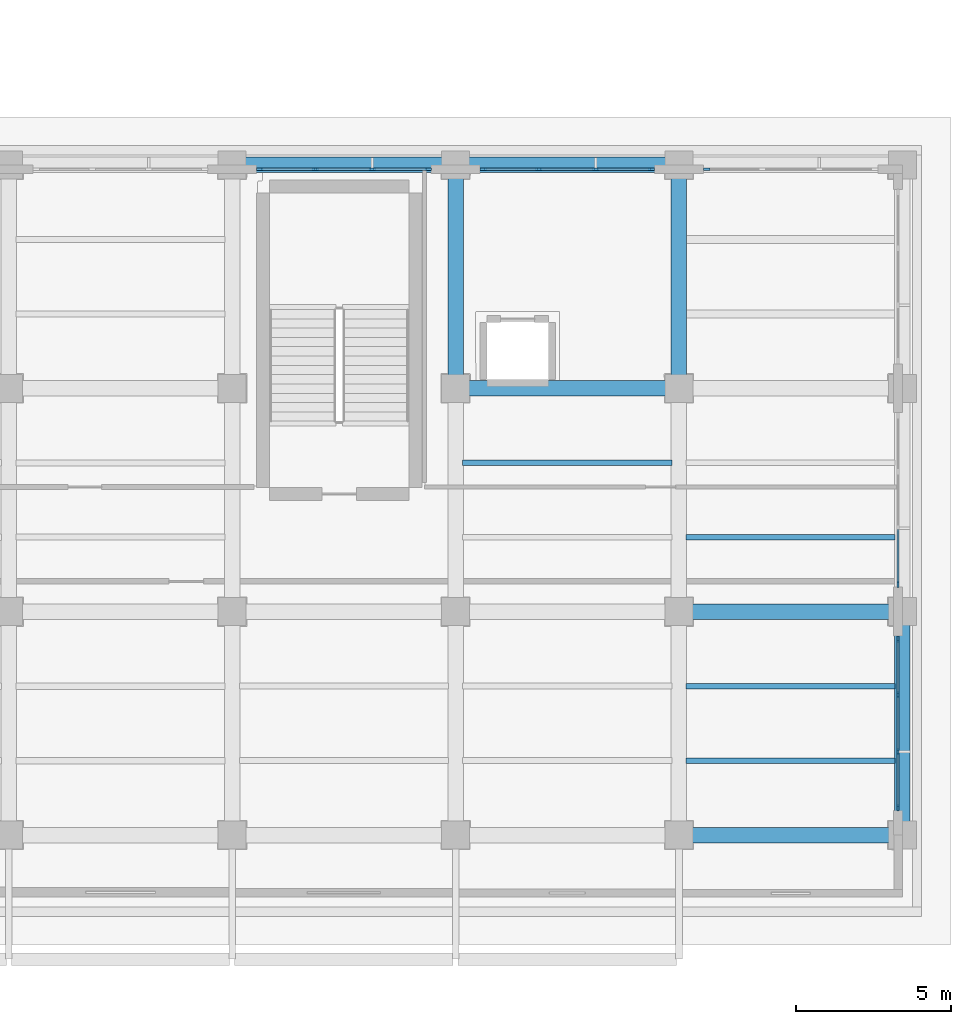
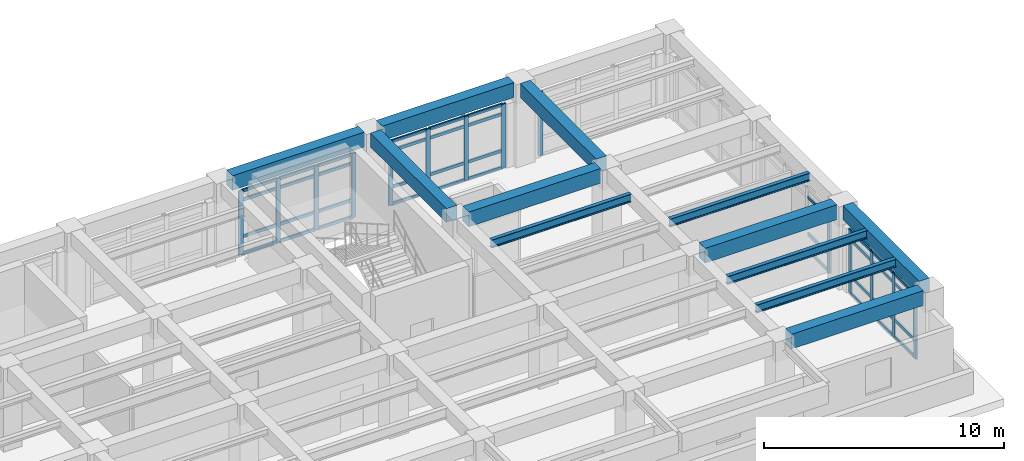
# One storey, part 29 of 69: 53 members, 12 beams, 5 elements without a shape of their own.
"""IFC4 building model written with IfcOpenShell, lengths in metres."""

from ifc_helpers import new_model, si_unit, direction, frame, origin, origin_2d, place, context, subcontext, project, spatial, rectangle, i_section, extrude, material, layer, layer_set, material_profile, profile_set, type_object, element, aggregate, save


model = new_model("IFC4")

# Units and contexts
model_context = context("Model", 3, precision=1e-05, world=origin(), true_north=direction((0.0, 1.0)))
body_context = subcontext(model_context, "Body", "Model", "MODEL_VIEW")
ifc_project = project(units=[si_unit("LENGTHUNIT", "METRE"), si_unit("AREAUNIT", "SQUARE_METRE"), si_unit("VOLUMEUNIT", "CUBIC_METRE"), si_unit("PLANEANGLEUNIT", "RADIAN"), si_unit("MASSUNIT", "GRAM", prefix="KILO")], contexts=[model_context])

# Site, building, storey
site_placement = place(None, origin())
site = spatial("IfcSite", under=ifc_project, at=site_placement, CompositionType="ELEMENT")
building_placement = place(site_placement, origin())
building = spatial("IfcBuilding", under=site, at=building_placement, Name="Solenvale Faculty of Natural Sciences", CompositionType="ELEMENT")
storey_placement = place(building_placement, frame((0.0, 0.0, 4.5)))
storey = spatial("IfcBuildingStorey", under=building, at=storey_placement, Name="L01", CompositionType="ELEMENT", Elevation=4.5)

# Beams
ifc_material_1 = material(Name="Concrete 40 MPa", Category="concrete")
ifc_material_profile_1 = material_profile(ifc_material_1, rectangle(XDim=0.5, YDim=0.699951171875, at=origin_2d()), Name="RC-BM-500x700")
ifc_profile_set_1 = profile_set([ifc_material_profile_1], Name="Concrete 40 MPa")
beam_type_1 = type_object("IfcBeamType", Name="BM-RC-500x700", PredefinedType="BEAM", material=ifc_profile_set_1)
for number, where, z_axis, x_axis, name in (
    (1, (151.199951171875, 50.830078125, 3.8701171875), (0.0, 1.0, 0.0), (-1.0, 0.0, 0.0), "L01 Y-Girder X151.2 (50.4..57.6)"),
    (2, (158.39990234375, 50.830078125, 3.8701171875), (0.0, 1.0, 0.0), (-1.0, 0.0, 0.0), "L01 Y-Girder X158.4 (50.4..57.6)"),
):
    element("IfcBeam", number, at=place(storey_placement, frame(where, z_axis=z_axis, x_axis=x_axis)), inside=storey, type_object=beam_type_1, Name=name, PredefinedType="BEAM", context=body_context, shape_type="SweptSolid", body=[
        extrude(rectangle(XDim=0.5, YDim=0.699951171875, at=origin_2d()), origin(), (0.0, 0.0, 1.0), 6.33984375),
    ])
beam_1_placement = place(storey_placement, frame((165.60009765625, 36.429931640625, 3.8701171875), z_axis=(0.0, 1.0, 0.0), x_axis=(-1.0, 0.0, 0.0)))
element("IfcBeam", 3, at=beam_1_placement, inside=storey, type_object=beam_type_1, Name="L01 Y-Girder X165.6 (36.0..43.2)", PredefinedType="BEAM", context=body_context, shape_type="SweptSolid", body=[
    extrude(rectangle(XDim=0.5, YDim=0.699951171875, at=origin_2d()), origin(), (0.0, 0.0, 1.0), 6.340087890625),
])
ifc_material_profile_2 = material_profile(ifc_material_1, rectangle(XDim=0.5, YDim=0.75, at=origin_2d()), Name="RC-BM-500x750")
ifc_profile_set_2 = profile_set([ifc_material_profile_2], Name="Concrete 40 MPa")
beam_type_2 = type_object("IfcBeamType", Name="BM-RC-500x750", PredefinedType="BEAM", material=ifc_profile_set_2)
for number, where, z_axis, x_axis, name in (
    (4, (158.830078125, 36.0, 3.844970703125), (1.0, 0.0, 0.0), (0.0, 1.0, 0.0), "L01 X-Girder Y36.0 (158.4..165.6)"),
    (5, (158.830078125, 43.199951171875, 3.844970703125), (1.0, 0.0, 0.0), (0.0, 1.0, 0.0), "L01 X-Girder Y43.2 (158.4..165.6)"),
):
    element("IfcBeam", number, at=place(storey_placement, frame(where, z_axis=z_axis, x_axis=x_axis)), inside=storey, type_object=beam_type_2, Name=name, PredefinedType="BEAM", context=body_context, shape_type="SweptSolid", body=[
        extrude(rectangle(XDim=0.5, YDim=0.75, at=origin_2d()), origin(), (0.0, 0.0, 1.0), 6.33984375),
    ])
for number, where, z_axis, x_axis, name in (
    (6, (151.6298828125, 50.39990234375, 3.844970703125), (1.0, 0.0, 0.0), (0.0, 1.0, 0.0), "L01 X-Girder Y50.4 (151.2..158.4)"),
    (7, (144.429931640625, 57.60009765625, 3.844970703125), (1.0, 0.0, 0.0), (0.0, 1.0, 0.0), "L01 X-Girder Y57.6 (144.0..151.2)"),
    (8, (151.6298828125, 57.60009765625, 3.844970703125), (1.0, 0.0, 0.0), (0.0, 1.0, 0.0), "L01 X-Girder Y57.6 (151.2..158.4)"),
):
    element("IfcBeam", number, at=place(storey_placement, frame(where, z_axis=z_axis, x_axis=x_axis)), inside=storey, type_object=beam_type_2, Name=name, PredefinedType="BEAM", context=body_context, shape_type="SweptSolid", body=[
        extrude(rectangle(XDim=0.5, YDim=0.75, at=origin_2d()), origin(), (0.0, 0.0, 1.0), 6.340087890625),
    ])
ifc_material_2 = material(Name="Steel S355", Category="steel")
ifc_material_profile_3 = material_profile(ifc_material_2, i_section(OverallWidth=0.178955078125, OverallDepth=0.409912109375, WebThickness=0.0087890625, FlangeThickness=0.014404296875, FilletRadius=0.01611328125, at=origin_2d()), Name="W410x67")
ifc_profile_set_3 = profile_set([ifc_material_profile_3], Name="Steel S355")
beam_type_3 = type_object("IfcBeamType", Name="BM-STL-W410x67", PredefinedType="JOIST", material=ifc_profile_set_3)
beam_2_placement = place(storey_placement, frame((158.6298828125, 45.60009765625, 4.014892578125), z_axis=(1.0, 0.0, 0.0), x_axis=(0.0, 1.0, 0.0)))
element("IfcBeam", 9, at=beam_2_placement, inside=storey, type_object=beam_type_3, Name="L01 Composite Floor Joist (23,7).1", PredefinedType="JOIST", context=body_context, shape_type="SweptSolid", body=[
    extrude(i_section(OverallWidth=0.178955078125, OverallDepth=0.409912109375, WebThickness=0.0087890625, FlangeThickness=0.014404296875, FilletRadius=0.01611328125, at=origin_2d()), origin(), (0.0, 0.0, 1.0), 6.740234375),
])
ifc_material_profile_4 = material_profile(ifc_material_2, i_section(OverallWidth=0.180908203125, OverallDepth=0.4169921875, WebThickness=0.010986328125, FlangeThickness=0.018310546875, FilletRadius=0.01611328125, at=origin_2d()), Name="W410x85")
ifc_profile_set_4 = profile_set([ifc_material_profile_4], Name="Steel S355")
beam_type_4 = type_object("IfcBeamType", Name="BM-STL-W410x85", PredefinedType="JOIST", material=ifc_profile_set_4)
beam_3_placement = place(storey_placement, frame((151.429931640625, 48.0, 4.011474609375), z_axis=(1.0, 0.0, 0.0), x_axis=(0.0, 1.0, 0.0)))
element("IfcBeam", 10, at=beam_3_placement, inside=storey, type_object=beam_type_4, Name="L01 Composite Floor Joist (22,7).2", PredefinedType="JOIST", context=body_context, shape_type="SweptSolid", body=[
    extrude(i_section(OverallWidth=0.180908203125, OverallDepth=0.4169921875, WebThickness=0.010986328125, FlangeThickness=0.018310546875, FilletRadius=0.01611328125, at=origin_2d()), origin(), (0.0, 0.0, 1.0), 6.739990234375),
])
for number, where, z_axis, x_axis, name in (
    (11, (158.6298828125, 38.39990234375, 4.011474609375), (1.0, 0.0, 0.0), (0.0, 1.0, 0.0), "L01 Composite Floor Joist (23,6).1"),
    (12, (158.6298828125, 40.800048828125, 4.011474609375), (1.0, 0.0, 0.0), (0.0, 1.0, 0.0), "L01 Composite Floor Joist (23,6).2"),
):
    element("IfcBeam", number, at=place(storey_placement, frame(where, z_axis=z_axis, x_axis=x_axis)), inside=storey, type_object=beam_type_4, Name=name, PredefinedType="JOIST", context=body_context, shape_type="SweptSolid", body=[
        extrude(i_section(OverallWidth=0.180908203125, OverallDepth=0.4169921875, WebThickness=0.010986328125, FlangeThickness=0.018310546875, FilletRadius=0.01611328125, at=origin_2d()), origin(), (0.0, 0.0, 1.0), 6.740234375),
    ])

# Curtain wall, members
ifc_material_3 = material(Name="Anodised bronze aluminium", Category="aluminium")
ifc_layer = layer(ifc_material_3, 0.199951171875)
ifc_layer_set = layer_set([ifc_layer], Name="Anodised bronze aluminium")
curtain_wall_type = type_object("IfcCurtainWallType", Name="CW-COM-FIN", PredefinedType="USERDEFINED", material=ifc_layer_set)
curtain_wall_1_placement = place(storey_placement, origin())
curtain_wall_1 = element("IfcCurtainWall", 13, at=curtain_wall_1_placement, inside=storey, type_object=curtain_wall_type, Name="L01 Curtain Wall CW-L01-P1-E8-B2", ObjectType="UNITISED CURTAIN WALL", PredefinedType="USERDEFINED")
ifc_material_profile_5 = material_profile(ifc_material_3, rectangle(XDim=0.074951171875, YDim=0.2099609375, at=origin_2d()), Name="ALU-MUL-75x210")
ifc_profile_set_5 = profile_set([ifc_material_profile_5], Name="Anodised bronze aluminium")
member_type_1 = type_object("IfcMemberType", Name="CWM-ALU-75x210", PredefinedType="MULLION", material=ifc_profile_set_5)
member_1_placement = place(storey_placement, frame((165.45751953125, 36.887451171875, 0.0), z_axis=(0.0, 0.0, 1.0), x_axis=(-1.0, 0.0, 0.0)))
member_1 = element("IfcMember", 14, at=member_1_placement, type_object=member_type_1, Name="CW-03 mullion 1", PredefinedType="MULLION", context=body_context, shape_type="SweptSolid", body=[
    extrude(rectangle(XDim=0.074951171875, YDim=0.2099609375, at=origin_2d()), origin(), (0.0, 0.0, 1.0), 3.260009765625),
])
member_2_placement = place(storey_placement, frame((165.45751953125, 38.683349609375, 0.0), z_axis=(0.0, 0.0, 1.0), x_axis=(-1.0, 0.0, 0.0)))
member_2 = element("IfcMember", 15, at=member_2_placement, type_object=member_type_1, Name="CW-03 mullion 2", PredefinedType="MULLION", context=body_context, shape_type="SweptSolid", body=[
    extrude(rectangle(XDim=0.074951171875, YDim=0.2099609375, at=origin_2d()), origin(), (0.0, 0.0, 1.0), 3.260009765625),
])
member_3_placement = place(storey_placement, frame((165.45751953125, 40.5166015625, 0.0), z_axis=(0.0, 0.0, 1.0), x_axis=(-1.0, 0.0, 0.0)))
member_3 = element("IfcMember", 16, at=member_3_placement, type_object=member_type_1, Name="CW-03 mullion 3", PredefinedType="MULLION", context=body_context, shape_type="SweptSolid", body=[
    extrude(rectangle(XDim=0.074951171875, YDim=0.2099609375, at=origin_2d()), origin(), (0.0, 0.0, 1.0), 3.260009765625),
])
member_4_placement = place(storey_placement, frame((165.45751953125, 42.3125, 0.0), z_axis=(0.0, 0.0, 1.0), x_axis=(-1.0, 0.0, 0.0)))
member_4 = element("IfcMember", 17, at=member_4_placement, type_object=member_type_1, Name="CW-03 mullion 4", PredefinedType="MULLION", context=body_context, shape_type="SweptSolid", body=[
    extrude(rectangle(XDim=0.074951171875, YDim=0.2099609375, at=origin_2d()), origin(), (0.0, 0.0, 1.0), 3.260009765625),
])

# Curtain wall, member
curtain_wall_2_placement = place(storey_placement, origin())
curtain_wall_2 = element("IfcCurtainWall", 18, at=curtain_wall_2_placement, inside=storey, type_object=curtain_wall_type, Name="L01 Curtain Wall CW-L01-P1-E8-B3", ObjectType="UNITISED CURTAIN WALL", PredefinedType="USERDEFINED")
member_5_placement = place(storey_placement, frame((165.45751953125, 44.08740234375, 0.0), z_axis=(0.0, 0.0, 1.0), x_axis=(-1.0, 0.0, 0.0)))
member_5 = element("IfcMember", 19, at=member_5_placement, type_object=member_type_1, Name="CW-03 mullion 1", PredefinedType="MULLION", context=body_context, shape_type="SweptSolid", body=[
    extrude(rectangle(XDim=0.074951171875, YDim=0.2099609375, at=origin_2d()), origin(), (0.0, 0.0, 1.0), 3.260009765625),
])

curtain_wall_3_placement = place(storey_placement, origin())
curtain_wall_3 = element("IfcCurtainWall", 20, at=curtain_wall_3_placement, inside=storey, type_object=curtain_wall_type, Name="L01 Curtain Wall CW-L01-P1-E9-B1", ObjectType="UNITISED CURTAIN WALL", PredefinedType="USERDEFINED")
member_6_placement = place(storey_placement, frame((159.28759765625, 57.45751953125, 0.0), z_axis=(0.0, 0.0, 1.0), x_axis=(0.0, -1.0, 0.0)))
member_6 = element("IfcMember", 21, at=member_6_placement, type_object=member_type_1, Name="CW-03 mullion 4", PredefinedType="MULLION", context=body_context, shape_type="SweptSolid", body=[
    extrude(rectangle(XDim=0.074951171875, YDim=0.2099609375, at=origin_2d()), origin(), (0.0, 0.0, 1.0), 3.260009765625),
])
aggregate(curtain_wall_3, [member_6])

# Curtain wall, members
curtain_wall_4_placement = place(storey_placement, origin())
curtain_wall_4 = element("IfcCurtainWall", 22, at=curtain_wall_4_placement, inside=storey, type_object=curtain_wall_type, Name="L01 Curtain Wall CW-L01-P1-E9-B2", ObjectType="UNITISED CURTAIN WALL", PredefinedType="USERDEFINED")
member_7_placement = place(storey_placement, frame((157.512451171875, 57.45751953125, 0.0), z_axis=(0.0, 0.0, 1.0), x_axis=(0.0, -1.0, 0.0)))
member_7 = element("IfcMember", 23, at=member_7_placement, type_object=member_type_1, Name="CW-03 mullion 1", PredefinedType="MULLION", context=body_context, shape_type="SweptSolid", body=[
    extrude(rectangle(XDim=0.074951171875, YDim=0.2099609375, at=origin_2d()), origin(), (0.0, 0.0, 1.0), 3.260009765625),
])
member_8_placement = place(storey_placement, frame((155.716552734375, 57.45751953125, 0.0), z_axis=(0.0, 0.0, 1.0), x_axis=(0.0, -1.0, 0.0)))
member_8 = element("IfcMember", 24, at=member_8_placement, type_object=member_type_1, Name="CW-03 mullion 2", PredefinedType="MULLION", context=body_context, shape_type="SweptSolid", body=[
    extrude(rectangle(XDim=0.074951171875, YDim=0.2099609375, at=origin_2d()), origin(), (0.0, 0.0, 1.0), 3.260009765625),
])
member_9_placement = place(storey_placement, frame((153.88330078125, 57.45751953125, 0.0), z_axis=(0.0, 0.0, 1.0), x_axis=(0.0, -1.0, 0.0)))
member_9 = element("IfcMember", 25, at=member_9_placement, type_object=member_type_1, Name="CW-03 mullion 3", PredefinedType="MULLION", context=body_context, shape_type="SweptSolid", body=[
    extrude(rectangle(XDim=0.074951171875, YDim=0.2099609375, at=origin_2d()), origin(), (0.0, 0.0, 1.0), 3.260009765625),
])
member_10_placement = place(storey_placement, frame((152.08740234375, 57.45751953125, 0.0), z_axis=(0.0, 0.0, 1.0), x_axis=(0.0, -1.0, 0.0)))
member_10 = element("IfcMember", 26, at=member_10_placement, type_object=member_type_1, Name="CW-03 mullion 4", PredefinedType="MULLION", context=body_context, shape_type="SweptSolid", body=[
    extrude(rectangle(XDim=0.074951171875, YDim=0.2099609375, at=origin_2d()), origin(), (0.0, 0.0, 1.0), 3.260009765625),
])

curtain_wall_5_placement = place(storey_placement, origin())
curtain_wall_5 = element("IfcCurtainWall", 27, at=curtain_wall_5_placement, inside=storey, type_object=curtain_wall_type, Name="L01 Curtain Wall CW-L01-P1-E9-B3", ObjectType="UNITISED CURTAIN WALL", PredefinedType="USERDEFINED")
member_11_placement = place(storey_placement, frame((150.3125, 57.45751953125, 0.0), z_axis=(0.0, 0.0, 1.0), x_axis=(0.0, -1.0, 0.0)))
member_11 = element("IfcMember", 28, at=member_11_placement, type_object=member_type_1, Name="CW-03 mullion 1", PredefinedType="MULLION", context=body_context, shape_type="SweptSolid", body=[
    extrude(rectangle(XDim=0.074951171875, YDim=0.2099609375, at=origin_2d()), origin(), (0.0, 0.0, 1.0), 3.260009765625),
])
member_12_placement = place(storey_placement, frame((148.5166015625, 57.45751953125, 0.0), z_axis=(0.0, 0.0, 1.0), x_axis=(0.0, -1.0, 0.0)))
member_12 = element("IfcMember", 29, at=member_12_placement, type_object=member_type_1, Name="CW-03 mullion 2", PredefinedType="MULLION", context=body_context, shape_type="SweptSolid", body=[
    extrude(rectangle(XDim=0.074951171875, YDim=0.2099609375, at=origin_2d()), origin(), (0.0, 0.0, 1.0), 3.260009765625),
])
member_13_placement = place(storey_placement, frame((146.683349609375, 57.45751953125, 0.0), z_axis=(0.0, 0.0, 1.0), x_axis=(0.0, -1.0, 0.0)))
member_13 = element("IfcMember", 30, at=member_13_placement, type_object=member_type_1, Name="CW-03 mullion 3", PredefinedType="MULLION", context=body_context, shape_type="SweptSolid", body=[
    extrude(rectangle(XDim=0.074951171875, YDim=0.2099609375, at=origin_2d()), origin(), (0.0, 0.0, 1.0), 3.260009765625),
])
member_14_placement = place(storey_placement, frame((144.887451171875, 57.45751953125, 0.0), z_axis=(0.0, 0.0, 1.0), x_axis=(0.0, -1.0, 0.0)))
member_14 = element("IfcMember", 31, at=member_14_placement, type_object=member_type_1, Name="CW-03 mullion 4", PredefinedType="MULLION", context=body_context, shape_type="SweptSolid", body=[
    extrude(rectangle(XDim=0.074951171875, YDim=0.2099609375, at=origin_2d()), origin(), (0.0, 0.0, 1.0), 3.260009765625),
])

# Member
ifc_material_profile_6 = material_profile(ifc_material_3, rectangle(XDim=0.074951171875, YDim=0.155029296875, at=origin_2d()), Name="ALU-TRN-75x155")
ifc_profile_set_6 = profile_set([ifc_material_profile_6], Name="Anodised bronze aluminium")
member_type_2 = type_object("IfcMemberType", Name="CWT-ALU-75x155", PredefinedType="USERDEFINED", material=ifc_profile_set_6)
member_15_placement = place(storey_placement, frame((165.45751953125, 36.925048828125, 0.03759765625), z_axis=(0.0, 1.0, 0.0), x_axis=(-1.0, 0.0, 0.0)))
member_15 = element("IfcMember", 32, at=member_15_placement, type_object=member_type_2, Name="CW-03 transom 1.1", ObjectType="TRANSOM", PredefinedType="USERDEFINED", context=body_context, shape_type="SweptSolid", body=[
    extrude(rectangle(XDim=0.074951171875, YDim=0.155029296875, at=origin_2d()), origin(), (0.0, 0.0, 1.0), 1.720703125),
])

member_16_placement = place(storey_placement, frame((165.45751953125, 36.925048828125, 0.89990234375), z_axis=(0.0, 1.0, 0.0), x_axis=(-1.0, 0.0, 0.0)))
member_16 = element("IfcMember", 33, at=member_16_placement, type_object=member_type_2, Name="CW-03 transom 1.2", ObjectType="TRANSOM", PredefinedType="USERDEFINED", context=body_context, shape_type="SweptSolid", body=[
    extrude(rectangle(XDim=0.074951171875, YDim=0.155029296875, at=origin_2d()), origin(), (0.0, 0.0, 1.0), 1.720703125),
])

member_17_placement = place(storey_placement, frame((165.45751953125, 36.925048828125, 2.760009765625), z_axis=(0.0, 1.0, 0.0), x_axis=(-1.0, 0.0, 0.0)))
member_17 = element("IfcMember", 34, at=member_17_placement, type_object=member_type_2, Name="CW-03 transom 1.3", ObjectType="TRANSOM", PredefinedType="USERDEFINED", context=body_context, shape_type="SweptSolid", body=[
    extrude(rectangle(XDim=0.074951171875, YDim=0.155029296875, at=origin_2d()), origin(), (0.0, 0.0, 1.0), 1.720703125),
])

member_18_placement = place(storey_placement, frame((165.45751953125, 36.925048828125, 3.222412109375), z_axis=(0.0, 1.0, 0.0), x_axis=(-1.0, 0.0, 0.0)))
member_18 = element("IfcMember", 35, at=member_18_placement, type_object=member_type_2, Name="CW-03 transom 1.4", ObjectType="TRANSOM", PredefinedType="USERDEFINED", context=body_context, shape_type="SweptSolid", body=[
    extrude(rectangle(XDim=0.074951171875, YDim=0.155029296875, at=origin_2d()), origin(), (0.0, 0.0, 1.0), 1.720703125),
])

member_19_placement = place(storey_placement, frame((165.45751953125, 38.720947265625, 0.03759765625), z_axis=(0.0, 1.0, 0.0), x_axis=(-1.0, 0.0, 0.0)))
member_19 = element("IfcMember", 36, at=member_19_placement, type_object=member_type_2, Name="CW-03 transom 2.1", ObjectType="TRANSOM", PredefinedType="USERDEFINED", context=body_context, shape_type="SweptSolid", body=[
    extrude(rectangle(XDim=0.074951171875, YDim=0.155029296875, at=origin_2d()), origin(), (0.0, 0.0, 1.0), 1.75830078125),
])

member_20_placement = place(storey_placement, frame((165.45751953125, 38.720947265625, 0.89990234375), z_axis=(0.0, 1.0, 0.0), x_axis=(-1.0, 0.0, 0.0)))
member_20 = element("IfcMember", 37, at=member_20_placement, type_object=member_type_2, Name="CW-03 transom 2.2", ObjectType="TRANSOM", PredefinedType="USERDEFINED", context=body_context, shape_type="SweptSolid", body=[
    extrude(rectangle(XDim=0.074951171875, YDim=0.155029296875, at=origin_2d()), origin(), (0.0, 0.0, 1.0), 1.75830078125),
])

member_21_placement = place(storey_placement, frame((165.45751953125, 38.720947265625, 2.760009765625), z_axis=(0.0, 1.0, 0.0), x_axis=(-1.0, 0.0, 0.0)))
member_21 = element("IfcMember", 38, at=member_21_placement, type_object=member_type_2, Name="CW-03 transom 2.3", ObjectType="TRANSOM", PredefinedType="USERDEFINED", context=body_context, shape_type="SweptSolid", body=[
    extrude(rectangle(XDim=0.074951171875, YDim=0.155029296875, at=origin_2d()), origin(), (0.0, 0.0, 1.0), 1.75830078125),
])

member_22_placement = place(storey_placement, frame((165.45751953125, 38.720947265625, 3.222412109375), z_axis=(0.0, 1.0, 0.0), x_axis=(-1.0, 0.0, 0.0)))
member_22 = element("IfcMember", 39, at=member_22_placement, type_object=member_type_2, Name="CW-03 transom 2.4", ObjectType="TRANSOM", PredefinedType="USERDEFINED", context=body_context, shape_type="SweptSolid", body=[
    extrude(rectangle(XDim=0.074951171875, YDim=0.155029296875, at=origin_2d()), origin(), (0.0, 0.0, 1.0), 1.75830078125),
])

member_23_placement = place(storey_placement, frame((165.45751953125, 40.55419921875, 0.03759765625), z_axis=(0.0, 1.0, 0.0), x_axis=(-1.0, 0.0, 0.0)))
member_23 = element("IfcMember", 40, at=member_23_placement, type_object=member_type_2, Name="CW-03 transom 3.1", ObjectType="TRANSOM", PredefinedType="USERDEFINED", context=body_context, shape_type="SweptSolid", body=[
    extrude(rectangle(XDim=0.074951171875, YDim=0.155029296875, at=origin_2d()), origin(), (0.0, 0.0, 1.0), 1.720703125),
])

member_24_placement = place(storey_placement, frame((165.45751953125, 40.55419921875, 0.89990234375), z_axis=(0.0, 1.0, 0.0), x_axis=(-1.0, 0.0, 0.0)))
member_24 = element("IfcMember", 41, at=member_24_placement, type_object=member_type_2, Name="CW-03 transom 3.2", ObjectType="TRANSOM", PredefinedType="USERDEFINED", context=body_context, shape_type="SweptSolid", body=[
    extrude(rectangle(XDim=0.074951171875, YDim=0.155029296875, at=origin_2d()), origin(), (0.0, 0.0, 1.0), 1.720703125),
])

member_25_placement = place(storey_placement, frame((165.45751953125, 40.55419921875, 2.760009765625), z_axis=(0.0, 1.0, 0.0), x_axis=(-1.0, 0.0, 0.0)))
member_25 = element("IfcMember", 42, at=member_25_placement, type_object=member_type_2, Name="CW-03 transom 3.3", ObjectType="TRANSOM", PredefinedType="USERDEFINED", context=body_context, shape_type="SweptSolid", body=[
    extrude(rectangle(XDim=0.074951171875, YDim=0.155029296875, at=origin_2d()), origin(), (0.0, 0.0, 1.0), 1.720703125),
])

member_26_placement = place(storey_placement, frame((165.45751953125, 40.55419921875, 3.222412109375), z_axis=(0.0, 1.0, 0.0), x_axis=(-1.0, 0.0, 0.0)))
member_26 = element("IfcMember", 43, at=member_26_placement, type_object=member_type_2, Name="CW-03 transom 3.4", ObjectType="TRANSOM", PredefinedType="USERDEFINED", context=body_context, shape_type="SweptSolid", body=[
    extrude(rectangle(XDim=0.074951171875, YDim=0.155029296875, at=origin_2d()), origin(), (0.0, 0.0, 1.0), 1.720703125),
])

aggregate(curtain_wall_1, [member_1, member_2, member_3, member_4, member_15, member_16, member_17, member_18, member_19, member_20, member_21, member_22, member_23, member_24, member_25, member_26])

member_27_placement = place(storey_placement, frame((165.45751953125, 44.125, 0.03759765625), z_axis=(0.0, 1.0, 0.0), x_axis=(-1.0, 0.0, 0.0)))
member_27 = element("IfcMember", 44, at=member_27_placement, type_object=member_type_2, Name="CW-03 transom 1.1", ObjectType="TRANSOM", PredefinedType="USERDEFINED", context=body_context, shape_type="SweptSolid", body=[
    extrude(rectangle(XDim=0.074951171875, YDim=0.155029296875, at=origin_2d()), origin(), (0.0, 0.0, 1.0), 1.720947265625),
])

member_28_placement = place(storey_placement, frame((165.45751953125, 44.125, 0.89990234375), z_axis=(0.0, 1.0, 0.0), x_axis=(-1.0, 0.0, 0.0)))
member_28 = element("IfcMember", 45, at=member_28_placement, type_object=member_type_2, Name="CW-03 transom 1.2", ObjectType="TRANSOM", PredefinedType="USERDEFINED", context=body_context, shape_type="SweptSolid", body=[
    extrude(rectangle(XDim=0.074951171875, YDim=0.155029296875, at=origin_2d()), origin(), (0.0, 0.0, 1.0), 1.720947265625),
])

member_29_placement = place(storey_placement, frame((165.45751953125, 44.125, 2.760009765625), z_axis=(0.0, 1.0, 0.0), x_axis=(-1.0, 0.0, 0.0)))
member_29 = element("IfcMember", 46, at=member_29_placement, type_object=member_type_2, Name="CW-03 transom 1.3", ObjectType="TRANSOM", PredefinedType="USERDEFINED", context=body_context, shape_type="SweptSolid", body=[
    extrude(rectangle(XDim=0.074951171875, YDim=0.155029296875, at=origin_2d()), origin(), (0.0, 0.0, 1.0), 1.720947265625),
])

aggregate(curtain_wall_2, [member_5, member_27, member_28, member_29])

member_30_placement = place(storey_placement, frame((157.47509765625, 57.45751953125, 0.03759765625), z_axis=(-1.0, 0.0, 0.0), x_axis=(0.0, -1.0, 0.0)))
member_30 = element("IfcMember", 47, at=member_30_placement, type_object=member_type_2, Name="CW-03 transom 1.1", ObjectType="TRANSOM", PredefinedType="USERDEFINED", context=body_context, shape_type="SweptSolid", body=[
    extrude(rectangle(XDim=0.074951171875, YDim=0.155029296875, at=origin_2d()), origin(), (0.0, 0.0, 1.0), 1.720947265625),
])

member_31_placement = place(storey_placement, frame((157.47509765625, 57.45751953125, 0.89990234375), z_axis=(-1.0, 0.0, 0.0), x_axis=(0.0, -1.0, 0.0)))
member_31 = element("IfcMember", 48, at=member_31_placement, type_object=member_type_2, Name="CW-03 transom 1.2", ObjectType="TRANSOM", PredefinedType="USERDEFINED", context=body_context, shape_type="SweptSolid", body=[
    extrude(rectangle(XDim=0.074951171875, YDim=0.155029296875, at=origin_2d()), origin(), (0.0, 0.0, 1.0), 1.720947265625),
])

member_32_placement = place(storey_placement, frame((157.47509765625, 57.45751953125, 2.760009765625), z_axis=(-1.0, 0.0, 0.0), x_axis=(0.0, -1.0, 0.0)))
member_32 = element("IfcMember", 49, at=member_32_placement, type_object=member_type_2, Name="CW-03 transom 1.3", ObjectType="TRANSOM", PredefinedType="USERDEFINED", context=body_context, shape_type="SweptSolid", body=[
    extrude(rectangle(XDim=0.074951171875, YDim=0.155029296875, at=origin_2d()), origin(), (0.0, 0.0, 1.0), 1.720947265625),
])

member_33_placement = place(storey_placement, frame((157.47509765625, 57.45751953125, 3.222412109375), z_axis=(-1.0, 0.0, 0.0), x_axis=(0.0, -1.0, 0.0)))
member_33 = element("IfcMember", 50, at=member_33_placement, type_object=member_type_2, Name="CW-03 transom 1.4", ObjectType="TRANSOM", PredefinedType="USERDEFINED", context=body_context, shape_type="SweptSolid", body=[
    extrude(rectangle(XDim=0.074951171875, YDim=0.155029296875, at=origin_2d()), origin(), (0.0, 0.0, 1.0), 1.720947265625),
])

member_34_placement = place(storey_placement, frame((155.67919921875, 57.45751953125, 0.03759765625), z_axis=(-1.0, 0.0, 0.0), x_axis=(0.0, -1.0, 0.0)))
member_34 = element("IfcMember", 51, at=member_34_placement, type_object=member_type_2, Name="CW-03 transom 2.1", ObjectType="TRANSOM", PredefinedType="USERDEFINED", context=body_context, shape_type="SweptSolid", body=[
    extrude(rectangle(XDim=0.074951171875, YDim=0.155029296875, at=origin_2d()), origin(), (0.0, 0.0, 1.0), 1.75830078125),
])

member_35_placement = place(storey_placement, frame((155.67919921875, 57.45751953125, 0.89990234375), z_axis=(-1.0, 0.0, 0.0), x_axis=(0.0, -1.0, 0.0)))
member_35 = element("IfcMember", 52, at=member_35_placement, type_object=member_type_2, Name="CW-03 transom 2.2", ObjectType="TRANSOM", PredefinedType="USERDEFINED", context=body_context, shape_type="SweptSolid", body=[
    extrude(rectangle(XDim=0.074951171875, YDim=0.155029296875, at=origin_2d()), origin(), (0.0, 0.0, 1.0), 1.75830078125),
])

member_36_placement = place(storey_placement, frame((155.67919921875, 57.45751953125, 2.760009765625), z_axis=(-1.0, 0.0, 0.0), x_axis=(0.0, -1.0, 0.0)))
member_36 = element("IfcMember", 53, at=member_36_placement, type_object=member_type_2, Name="CW-03 transom 2.3", ObjectType="TRANSOM", PredefinedType="USERDEFINED", context=body_context, shape_type="SweptSolid", body=[
    extrude(rectangle(XDim=0.074951171875, YDim=0.155029296875, at=origin_2d()), origin(), (0.0, 0.0, 1.0), 1.75830078125),
])

member_37_placement = place(storey_placement, frame((155.67919921875, 57.45751953125, 3.222412109375), z_axis=(-1.0, 0.0, 0.0), x_axis=(0.0, -1.0, 0.0)))
member_37 = element("IfcMember", 54, at=member_37_placement, type_object=member_type_2, Name="CW-03 transom 2.4", ObjectType="TRANSOM", PredefinedType="USERDEFINED", context=body_context, shape_type="SweptSolid", body=[
    extrude(rectangle(XDim=0.074951171875, YDim=0.155029296875, at=origin_2d()), origin(), (0.0, 0.0, 1.0), 1.75830078125),
])

member_38_placement = place(storey_placement, frame((153.845947265625, 57.45751953125, 0.03759765625), z_axis=(-1.0, 0.0, 0.0), x_axis=(0.0, -1.0, 0.0)))
member_38 = element("IfcMember", 55, at=member_38_placement, type_object=member_type_2, Name="CW-03 transom 3.1", ObjectType="TRANSOM", PredefinedType="USERDEFINED", context=body_context, shape_type="SweptSolid", body=[
    extrude(rectangle(XDim=0.074951171875, YDim=0.155029296875, at=origin_2d()), origin(), (0.0, 0.0, 1.0), 1.720947265625),
])

member_39_placement = place(storey_placement, frame((153.845947265625, 57.45751953125, 0.89990234375), z_axis=(-1.0, 0.0, 0.0), x_axis=(0.0, -1.0, 0.0)))
member_39 = element("IfcMember", 56, at=member_39_placement, type_object=member_type_2, Name="CW-03 transom 3.2", ObjectType="TRANSOM", PredefinedType="USERDEFINED", context=body_context, shape_type="SweptSolid", body=[
    extrude(rectangle(XDim=0.074951171875, YDim=0.155029296875, at=origin_2d()), origin(), (0.0, 0.0, 1.0), 1.720947265625),
])

member_40_placement = place(storey_placement, frame((153.845947265625, 57.45751953125, 2.760009765625), z_axis=(-1.0, 0.0, 0.0), x_axis=(0.0, -1.0, 0.0)))
member_40 = element("IfcMember", 57, at=member_40_placement, type_object=member_type_2, Name="CW-03 transom 3.3", ObjectType="TRANSOM", PredefinedType="USERDEFINED", context=body_context, shape_type="SweptSolid", body=[
    extrude(rectangle(XDim=0.074951171875, YDim=0.155029296875, at=origin_2d()), origin(), (0.0, 0.0, 1.0), 1.720947265625),
])

member_41_placement = place(storey_placement, frame((153.845947265625, 57.45751953125, 3.222412109375), z_axis=(-1.0, 0.0, 0.0), x_axis=(0.0, -1.0, 0.0)))
member_41 = element("IfcMember", 58, at=member_41_placement, type_object=member_type_2, Name="CW-03 transom 3.4", ObjectType="TRANSOM", PredefinedType="USERDEFINED", context=body_context, shape_type="SweptSolid", body=[
    extrude(rectangle(XDim=0.074951171875, YDim=0.155029296875, at=origin_2d()), origin(), (0.0, 0.0, 1.0), 1.720947265625),
])

aggregate(curtain_wall_4, [member_7, member_8, member_9, member_10, member_30, member_31, member_32, member_33, member_34, member_35, member_36, member_37, member_38, member_39, member_40, member_41])

member_42_placement = place(storey_placement, frame((150.27490234375, 57.45751953125, 0.03759765625), z_axis=(-1.0, 0.0, 0.0), x_axis=(0.0, -1.0, 0.0)))
member_42 = element("IfcMember", 59, at=member_42_placement, type_object=member_type_2, Name="CW-03 transom 1.1", ObjectType="TRANSOM", PredefinedType="USERDEFINED", context=body_context, shape_type="SweptSolid", body=[
    extrude(rectangle(XDim=0.074951171875, YDim=0.155029296875, at=origin_2d()), origin(), (0.0, 0.0, 1.0), 1.720703125),
])

member_43_placement = place(storey_placement, frame((150.27490234375, 57.45751953125, 0.89990234375), z_axis=(-1.0, 0.0, 0.0), x_axis=(0.0, -1.0, 0.0)))
member_43 = element("IfcMember", 60, at=member_43_placement, type_object=member_type_2, Name="CW-03 transom 1.2", ObjectType="TRANSOM", PredefinedType="USERDEFINED", context=body_context, shape_type="SweptSolid", body=[
    extrude(rectangle(XDim=0.074951171875, YDim=0.155029296875, at=origin_2d()), origin(), (0.0, 0.0, 1.0), 1.720703125),
])

member_44_placement = place(storey_placement, frame((150.27490234375, 57.45751953125, 2.760009765625), z_axis=(-1.0, 0.0, 0.0), x_axis=(0.0, -1.0, 0.0)))
member_44 = element("IfcMember", 61, at=member_44_placement, type_object=member_type_2, Name="CW-03 transom 1.3", ObjectType="TRANSOM", PredefinedType="USERDEFINED", context=body_context, shape_type="SweptSolid", body=[
    extrude(rectangle(XDim=0.074951171875, YDim=0.155029296875, at=origin_2d()), origin(), (0.0, 0.0, 1.0), 1.720703125),
])

member_45_placement = place(storey_placement, frame((150.27490234375, 57.45751953125, 3.222412109375), z_axis=(-1.0, 0.0, 0.0), x_axis=(0.0, -1.0, 0.0)))
member_45 = element("IfcMember", 62, at=member_45_placement, type_object=member_type_2, Name="CW-03 transom 1.4", ObjectType="TRANSOM", PredefinedType="USERDEFINED", context=body_context, shape_type="SweptSolid", body=[
    extrude(rectangle(XDim=0.074951171875, YDim=0.155029296875, at=origin_2d()), origin(), (0.0, 0.0, 1.0), 1.720703125),
])

member_46_placement = place(storey_placement, frame((148.479248046875, 57.45751953125, 0.03759765625), z_axis=(-1.0, 0.0, 0.0), x_axis=(0.0, -1.0, 0.0)))
member_46 = element("IfcMember", 63, at=member_46_placement, type_object=member_type_2, Name="CW-03 transom 2.1", ObjectType="TRANSOM", PredefinedType="USERDEFINED", context=body_context, shape_type="SweptSolid", body=[
    extrude(rectangle(XDim=0.074951171875, YDim=0.155029296875, at=origin_2d()), origin(), (0.0, 0.0, 1.0), 1.75830078125),
])

member_47_placement = place(storey_placement, frame((148.479248046875, 57.45751953125, 0.89990234375), z_axis=(-1.0, 0.0, 0.0), x_axis=(0.0, -1.0, 0.0)))
member_47 = element("IfcMember", 64, at=member_47_placement, type_object=member_type_2, Name="CW-03 transom 2.2", ObjectType="TRANSOM", PredefinedType="USERDEFINED", context=body_context, shape_type="SweptSolid", body=[
    extrude(rectangle(XDim=0.074951171875, YDim=0.155029296875, at=origin_2d()), origin(), (0.0, 0.0, 1.0), 1.75830078125),
])

member_48_placement = place(storey_placement, frame((148.479248046875, 57.45751953125, 2.760009765625), z_axis=(-1.0, 0.0, 0.0), x_axis=(0.0, -1.0, 0.0)))
member_48 = element("IfcMember", 65, at=member_48_placement, type_object=member_type_2, Name="CW-03 transom 2.3", ObjectType="TRANSOM", PredefinedType="USERDEFINED", context=body_context, shape_type="SweptSolid", body=[
    extrude(rectangle(XDim=0.074951171875, YDim=0.155029296875, at=origin_2d()), origin(), (0.0, 0.0, 1.0), 1.75830078125),
])

member_49_placement = place(storey_placement, frame((148.479248046875, 57.45751953125, 3.222412109375), z_axis=(-1.0, 0.0, 0.0), x_axis=(0.0, -1.0, 0.0)))
member_49 = element("IfcMember", 66, at=member_49_placement, type_object=member_type_2, Name="CW-03 transom 2.4", ObjectType="TRANSOM", PredefinedType="USERDEFINED", context=body_context, shape_type="SweptSolid", body=[
    extrude(rectangle(XDim=0.074951171875, YDim=0.155029296875, at=origin_2d()), origin(), (0.0, 0.0, 1.0), 1.75830078125),
])

member_50_placement = place(storey_placement, frame((146.645751953125, 57.45751953125, 0.03759765625), z_axis=(-1.0, 0.0, 0.0), x_axis=(0.0, -1.0, 0.0)))
member_50 = element("IfcMember", 67, at=member_50_placement, type_object=member_type_2, Name="CW-03 transom 3.1", ObjectType="TRANSOM", PredefinedType="USERDEFINED", context=body_context, shape_type="SweptSolid", body=[
    extrude(rectangle(XDim=0.074951171875, YDim=0.155029296875, at=origin_2d()), origin(), (0.0, 0.0, 1.0), 1.720703125),
])

member_51_placement = place(storey_placement, frame((146.645751953125, 57.45751953125, 0.89990234375), z_axis=(-1.0, 0.0, 0.0), x_axis=(0.0, -1.0, 0.0)))
member_51 = element("IfcMember", 68, at=member_51_placement, type_object=member_type_2, Name="CW-03 transom 3.2", ObjectType="TRANSOM", PredefinedType="USERDEFINED", context=body_context, shape_type="SweptSolid", body=[
    extrude(rectangle(XDim=0.074951171875, YDim=0.155029296875, at=origin_2d()), origin(), (0.0, 0.0, 1.0), 1.720703125),
])

member_52_placement = place(storey_placement, frame((146.645751953125, 57.45751953125, 2.760009765625), z_axis=(-1.0, 0.0, 0.0), x_axis=(0.0, -1.0, 0.0)))
member_52 = element("IfcMember", 69, at=member_52_placement, type_object=member_type_2, Name="CW-03 transom 3.3", ObjectType="TRANSOM", PredefinedType="USERDEFINED", context=body_context, shape_type="SweptSolid", body=[
    extrude(rectangle(XDim=0.074951171875, YDim=0.155029296875, at=origin_2d()), origin(), (0.0, 0.0, 1.0), 1.720703125),
])

member_53_placement = place(storey_placement, frame((146.645751953125, 57.45751953125, 3.222412109375), z_axis=(-1.0, 0.0, 0.0), x_axis=(0.0, -1.0, 0.0)))
member_53 = element("IfcMember", 70, at=member_53_placement, type_object=member_type_2, Name="CW-03 transom 3.4", ObjectType="TRANSOM", PredefinedType="USERDEFINED", context=body_context, shape_type="SweptSolid", body=[
    extrude(rectangle(XDim=0.074951171875, YDim=0.155029296875, at=origin_2d()), origin(), (0.0, 0.0, 1.0), 1.720703125),
])

aggregate(curtain_wall_5, [member_11, member_12, member_13, member_14, member_42, member_43, member_44, member_45, member_46, member_47, member_48, member_49, member_50, member_51, member_52, member_53])

save(model, "model.ifc")
